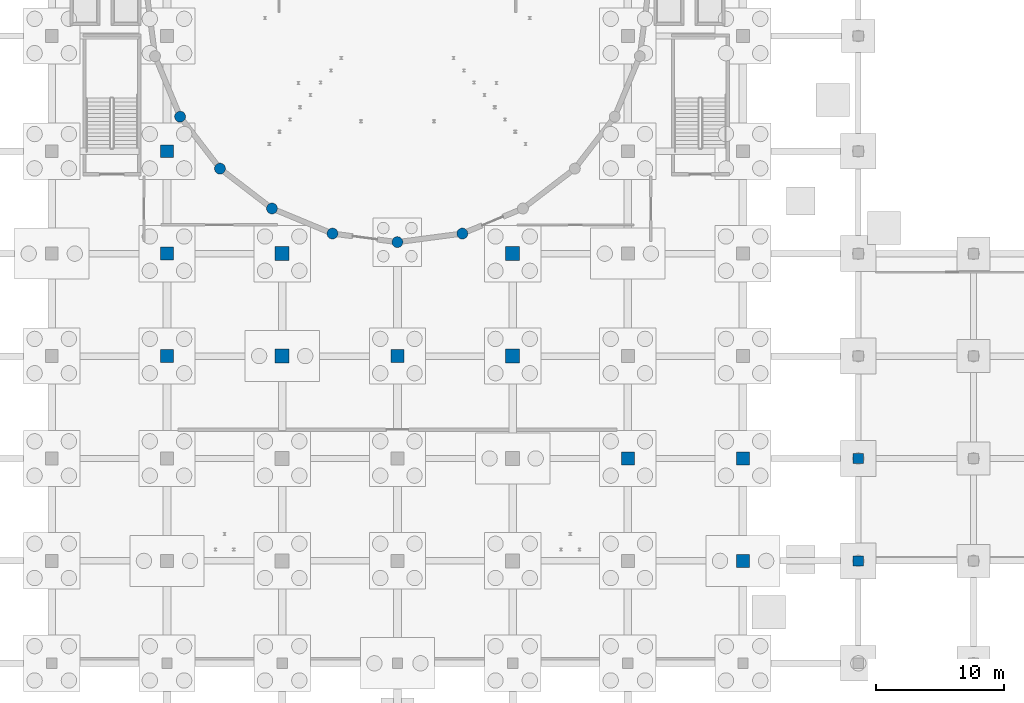
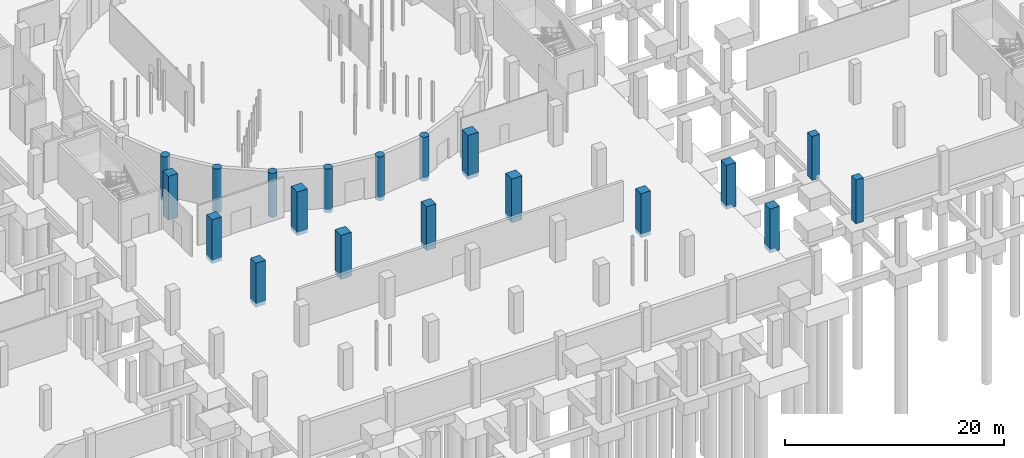
# One storey, part 17 of 40: 19 columns.
"""IFC4 building model written with IfcOpenShell, lengths in metres."""

from ifc_helpers import new_model, si_unit, direction, frame, origin, origin_2d, place, context, subcontext, project, spatial, rectangle, circle, extrude, material, material_profile, profile_set, type_object, element, save


model = new_model("IFC4")

# Units and contexts
model_context = context("Model", 3, precision=1e-05, world=origin(), true_north=direction((0.0, 1.0)))
body_context = subcontext(model_context, "Body", "Model", "MODEL_VIEW")
ifc_project = project(units=[si_unit("LENGTHUNIT", "METRE"), si_unit("AREAUNIT", "SQUARE_METRE"), si_unit("VOLUMEUNIT", "CUBIC_METRE"), si_unit("PLANEANGLEUNIT", "RADIAN"), si_unit("MASSUNIT", "GRAM", prefix="KILO")], contexts=[model_context])

# Site, building, storey
site_placement = place(None, origin())
site = spatial("IfcSite", under=ifc_project, at=site_placement, CompositionType="ELEMENT")
building_placement = place(site_placement, origin())
building = spatial("IfcBuilding", under=site, at=building_placement, Name="Marnock Terrace Opera House", CompositionType="ELEMENT")
storey_placement = place(building_placement, frame((0.0, 0.0, -4.800048828125)))
storey = spatial("IfcBuildingStorey", under=building, at=storey_placement, Name="B1", CompositionType="ELEMENT", Elevation=-4.800048828125)

# Columns
ifc_material = material(Name="Concrete N50 (f'c = 50 MPa)", Category="concrete")
ifc_material_profile_1 = material_profile(ifc_material, circle(Radius=0.425048828125, at=origin_2d()))
ifc_profile_set_1 = profile_set([ifc_material_profile_1], Name="Concrete N50 (f'c = 50 MPa)")
column_type_1 = type_object("IfcColumnType", Name="COL-DRUM-850", PredefinedType="COLUMN", material=ifc_profile_set_1)
for number, where, z_axis, x_axis, name in (
    (1, (65.02587890625, 50.699951171875, -0.39990234375), (0.0, 0.0, 1.0), (1.0, 0.0, 0.0), "B1 auditorium drum pier 15"),
    (2, (68.14111328125, 46.64111328125, -0.39990234375), (0.0, 0.0, 1.0), (1.0, 0.0, 0.0), "B1 auditorium drum pier 16"),
    (3, (72.199951171875, 43.52587890625, -0.39990234375), (0.0, 0.0, 1.0), (1.0, 0.0, 0.0), "B1 auditorium drum pier 17"),
    (4, (76.927001953125, 41.568115234375, -0.39990234375), (0.0, 0.0, 1.0), (1.0, 0.0, 0.0), "B1 auditorium drum pier 18"),
    (5, (82.0, 40.89990234375, -0.39990234375), (0.0, 0.0, 1.0), (1.0, 0.0, 0.0), "B1 auditorium drum pier 19"),
    (6, (87.072998046875, 41.568115234375, -0.39990234375), (0.0, 0.0, 1.0), (1.0, 0.0, 0.0), "B1 auditorium drum pier 20"),
):
    element("IfcColumn", number, at=place(storey_placement, frame(where, z_axis=z_axis, x_axis=x_axis)), inside=storey, type_object=column_type_1, Name=name, PredefinedType="COLUMN", context=body_context, shape_type="SweptSolid", body=[
        extrude(circle(Radius=0.425048828125, at=origin_2d()), origin(), (0.0, 0.0, 1.0), 4.89990234375),
    ])
ifc_material_profile_2 = material_profile(ifc_material, rectangle(XDim=1.0, YDim=1.0, at=origin_2d()))
ifc_profile_set_2 = profile_set([ifc_material_profile_2], Name="Concrete N50 (f'c = 50 MPa)")
column_type_2 = type_object("IfcColumnType", Name="COL-RC1000", PredefinedType="COLUMN", material=ifc_profile_set_2)
for number, where, z_axis, x_axis, name in (
    (7, (64.0, 32.0, -0.39990234375), (0.0, 0.0, 1.0), (1.0, 0.0, 0.0), "B1 column at (64.0, 32.0)"),
    (8, (64.0, 40.0, -0.39990234375), (0.0, 0.0, 1.0), (1.0, 0.0, 0.0), "B1 column at (64.0, 40.0)"),
    (9, (64.0, 48.0, -0.39990234375), (0.0, 0.0, 1.0), (1.0, 0.0, 0.0), "B1 column at (64.0, 48.0)"),
    (10, (82.0, 32.0, -0.39990234375), (0.0, 0.0, 1.0), (1.0, 0.0, 0.0), "B1 column at (82.0, 32.0)"),
    (11, (100.0, 24.0, -0.39990234375), (0.0, 0.0, 1.0), (1.0, 0.0, 0.0), "B1 column at (100.0, 24.0)"),
    (12, (109.0, 16.0, -0.39990234375), (0.0, 0.0, 1.0), (1.0, 0.0, 0.0), "B1 column at (109.0, 16.0)"),
    (13, (109.0, 24.0, -0.39990234375), (0.0, 0.0, 1.0), (1.0, 0.0, 0.0), "B1 column at (109.0, 24.0)"),
):
    element("IfcColumn", number, at=place(storey_placement, frame(where, z_axis=z_axis, x_axis=x_axis)), inside=storey, type_object=column_type_2, Name=name, PredefinedType="COLUMN", context=body_context, shape_type="SweptSolid", body=[
        extrude(rectangle(XDim=1.0, YDim=1.0, at=origin_2d()), origin(), (0.0, 0.0, 1.0), 4.89990234375),
    ])
ifc_material_profile_3 = material_profile(ifc_material, rectangle(XDim=1.10009765625, YDim=1.10009765625, at=origin_2d()))
ifc_profile_set_3 = profile_set([ifc_material_profile_3], Name="Concrete N50 (f'c = 50 MPa)")
column_type_3 = type_object("IfcColumnType", Name="COL-RC1100", PredefinedType="COLUMN", material=ifc_profile_set_3)
for number, where, z_axis, x_axis, name in (
    (14, (73.0, 32.0, -0.39990234375), (0.0, 0.0, 1.0), (1.0, 0.0, 0.0), "B1 column at (73.0, 32.0)"),
    (15, (73.0, 40.0, -0.39990234375), (0.0, 0.0, 1.0), (1.0, 0.0, 0.0), "B1 column at (73.0, 40.0)"),
    (16, (91.0, 32.0, -0.39990234375), (0.0, 0.0, 1.0), (1.0, 0.0, 0.0), "B1 column at (91.0, 32.0)"),
    (17, (91.0, 40.0, -0.39990234375), (0.0, 0.0, 1.0), (1.0, 0.0, 0.0), "B1 column at (91.0, 40.0)"),
):
    element("IfcColumn", number, at=place(storey_placement, frame(where, z_axis=z_axis, x_axis=x_axis)), inside=storey, type_object=column_type_3, Name=name, PredefinedType="COLUMN", context=body_context, shape_type="SweptSolid", body=[
        extrude(rectangle(XDim=1.10009765625, YDim=1.10009765625, at=origin_2d()), origin(), (0.0, 0.0, 1.0), 4.89990234375),
    ])
ifc_material_profile_4 = material_profile(ifc_material, rectangle(XDim=0.800048828125, YDim=0.800048828125, at=origin_2d()))
ifc_profile_set_4 = profile_set([ifc_material_profile_4], Name="Concrete N50 (f'c = 50 MPa)")
column_type_4 = type_object("IfcColumnType", Name="COL-RC800", PredefinedType="COLUMN", material=ifc_profile_set_4)
for number, where, z_axis, x_axis, name in (
    (18, (118.0, 16.0, -0.39990234375), (0.0, 0.0, 1.0), (1.0, 0.0, 0.0), "B1 column at (118.0, 16.0)"),
    (19, (118.0, 24.0, -0.39990234375), (0.0, 0.0, 1.0), (1.0, 0.0, 0.0), "B1 column at (118.0, 24.0)"),
):
    element("IfcColumn", number, at=place(storey_placement, frame(where, z_axis=z_axis, x_axis=x_axis)), inside=storey, type_object=column_type_4, Name=name, PredefinedType="COLUMN", context=body_context, shape_type="SweptSolid", body=[
        extrude(rectangle(XDim=0.800048828125, YDim=0.800048828125, at=origin_2d()), origin(), (0.0, 0.0, 1.0), 4.89990234375),
    ])

save(model, "model.ifc")
